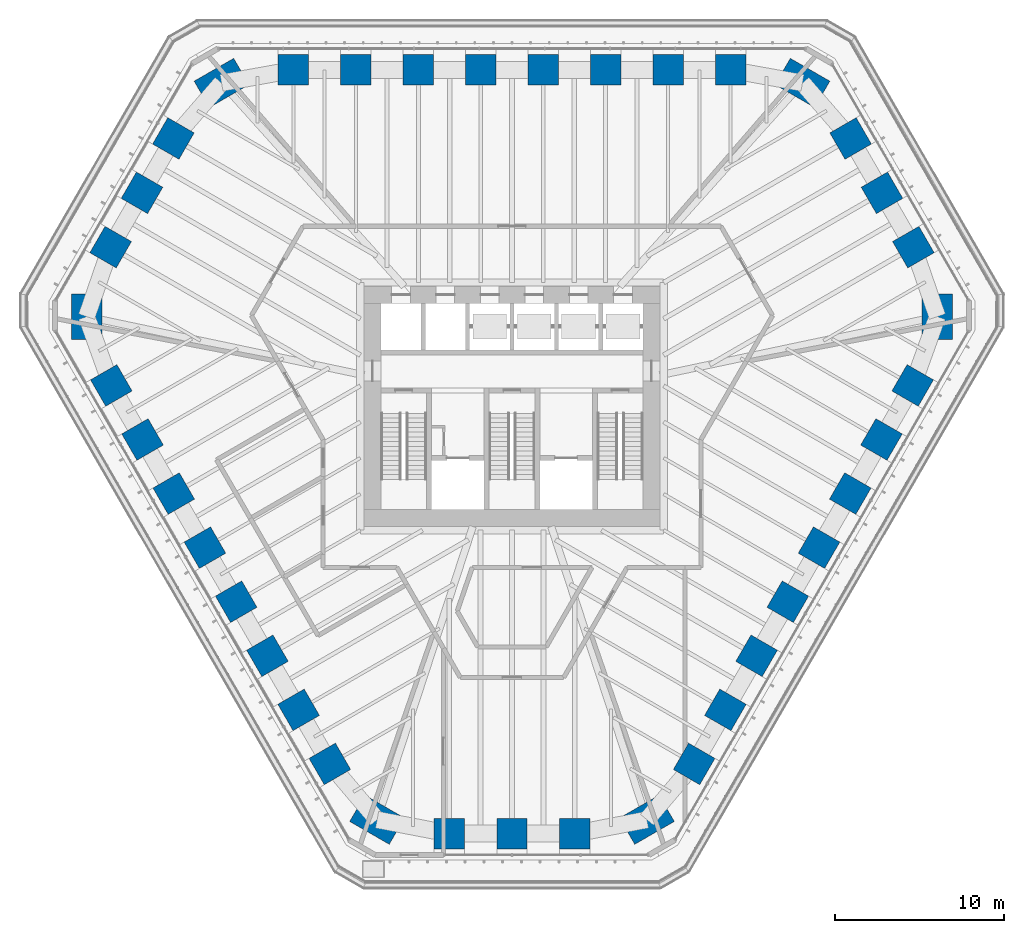
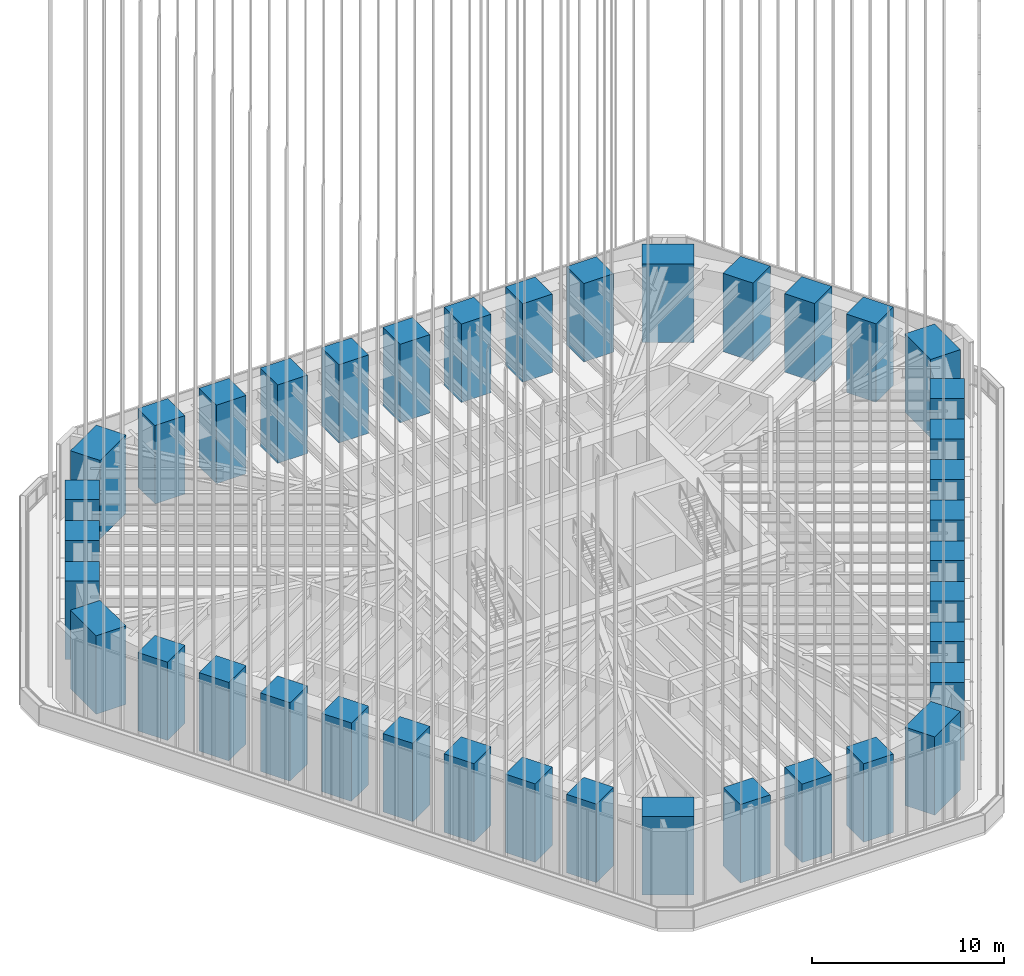
# One storey, part 1 of 228: 39 columns.
"""IFC4 building model written with IfcOpenShell, lengths in metres."""

from ifc_helpers import new_model, si_unit, direction, frame, origin, origin_2d, place, context, subcontext, project, spatial, rectangle, extrude, clip, halfspace, material, material_profile, profile_set, type_object, element, save


model = new_model("IFC4")

# Units and contexts
model_context = context("Model", 3, precision=1e-05, world=origin(), true_north=direction((0.0, 1.0)))
body_context = subcontext(model_context, "Body", "Model", "MODEL_VIEW")
ifc_project = project(units=[si_unit("LENGTHUNIT", "METRE"), si_unit("AREAUNIT", "SQUARE_METRE"), si_unit("VOLUMEUNIT", "CUBIC_METRE"), si_unit("PLANEANGLEUNIT", "RADIAN"), si_unit("MASSUNIT", "GRAM", prefix="KILO")], contexts=[model_context])

# Site, building, storey
site_placement = place(None, origin())
site = spatial("IfcSite", under=ifc_project, at=site_placement, CompositionType="ELEMENT")
building_placement = place(site_placement, origin())
building = spatial("IfcBuilding", under=site, at=building_placement, Name="Sandreach Pilgrim Tower", CompositionType="ELEMENT")
storey_placement = place(building_placement, frame((0.0, 0.0, 178.199951171875)))
storey = spatial("IfcBuildingStorey", under=building, at=storey_placement, Name="L44", CompositionType="ELEMENT", Elevation=178.199951171875)

# Columns
ifc_material_1 = material(Name="Concrete 10000 psi", Category="concrete")
ifc_material_profile_1 = material_profile(ifc_material_1, rectangle(XDim=1.800048828125, YDim=1.800048828125, at=origin_2d()), Name="RC1800X1800")
ifc_profile_set_1 = profile_set([ifc_material_profile_1], Name="Concrete 10000 psi")
column_type_1 = type_object("IfcColumnType", Name="Tube column RC1800X1800", PredefinedType="COLUMN", material=ifc_profile_set_1)
column_1_placement = place(storey_placement, frame((-12.923828125, 19.900146484375, -0.070068359375), z_axis=(0.0, 0.0, 1.0), x_axis=(0.0, 1.0, 0.0)))
element("IfcColumn", 1, at=column_1_placement, inside=storey, type_object=column_type_1, Name="COL L44 T01", PredefinedType="COLUMN", context=body_context, shape_type="SweptSolid", body=[
    clip(extrude(rectangle(XDim=1.800048828125, YDim=1.800048828125, at=origin_2d()), origin(), (0.0, 0.0, 1.0), 5.070068359375), halfspace(frame((0.0, 0.0, 0.070068359375)), True)),
])
column_2_placement = place(storey_placement, frame((-9.231201171875, 19.900146484375, -0.062255859375), z_axis=(0.0, 0.0, 1.0), x_axis=(0.0, 1.0, 0.0)))
element("IfcColumn", 2, at=column_2_placement, inside=storey, type_object=column_type_1, Name="COL L44 T02", PredefinedType="COLUMN", context=body_context, shape_type="SweptSolid", body=[
    clip(extrude(rectangle(XDim=1.800048828125, YDim=1.800048828125, at=origin_2d()), origin(), (0.0, 0.0, 1.0), 5.062255859375), halfspace(frame((0.0, 0.0, 0.062255859375)), True)),
])
column_3_placement = place(storey_placement, frame((-5.538818359375, 19.900146484375, -0.05419921875), z_axis=(0.0, 0.0, 1.0), x_axis=(0.0, 1.0, 0.0)))
element("IfcColumn", 3, at=column_3_placement, inside=storey, type_object=column_type_1, Name="COL L44 T03", PredefinedType="COLUMN", context=body_context, shape_type="SweptSolid", body=[
    clip(extrude(rectangle(XDim=1.800048828125, YDim=1.800048828125, at=origin_2d()), origin(), (0.0, 0.0, 1.0), 5.05419921875), halfspace(frame((0.0, 0.0, 0.05419921875)), True)),
])
for number, where, z_axis, x_axis, name in (
    (4, (-1.84619140625, 19.900146484375, -0.04638671875), (0.0, 0.0, 1.0), (0.0, 1.0, 0.0), "COL L44 T04"),
    (5, (1.84619140625, 19.900146484375, -0.04638671875), (0.0, 0.0, 1.0), (0.0, 1.0, 0.0), "COL L44 T05"),
):
    element("IfcColumn", number, at=place(storey_placement, frame(where, z_axis=z_axis, x_axis=x_axis)), inside=storey, type_object=column_type_1, Name=name, PredefinedType="COLUMN", context=body_context, shape_type="SweptSolid", body=[
        clip(extrude(rectangle(XDim=1.800048828125, YDim=1.800048828125, at=origin_2d()), origin(), (0.0, 0.0, 1.0), 5.04638671875), halfspace(frame((0.0, 0.0, 0.04638671875)), True)),
    ])
column_4_placement = place(storey_placement, frame((5.538818359375, 19.900146484375, -0.05419921875), z_axis=(0.0, 0.0, 1.0), x_axis=(0.0, 1.0, 0.0)))
element("IfcColumn", 6, at=column_4_placement, inside=storey, type_object=column_type_1, Name="COL L44 T06", PredefinedType="COLUMN", context=body_context, shape_type="SweptSolid", body=[
    clip(extrude(rectangle(XDim=1.800048828125, YDim=1.800048828125, at=origin_2d()), origin(), (0.0, 0.0, 1.0), 5.05419921875), halfspace(frame((0.0, 0.0, 0.05419921875)), True)),
])
column_5_placement = place(storey_placement, frame((9.231201171875, 19.900146484375, -0.062255859375), z_axis=(0.0, 0.0, 1.0), x_axis=(0.0, 1.0, 0.0)))
element("IfcColumn", 7, at=column_5_placement, inside=storey, type_object=column_type_1, Name="COL L44 T07", PredefinedType="COLUMN", context=body_context, shape_type="SweptSolid", body=[
    clip(extrude(rectangle(XDim=1.800048828125, YDim=1.800048828125, at=origin_2d()), origin(), (0.0, 0.0, 1.0), 5.062255859375), halfspace(frame((0.0, 0.0, 0.062255859375)), True)),
])
column_6_placement = place(storey_placement, frame((12.923828125, 19.900146484375, -0.070068359375), z_axis=(0.0, 0.0, 1.0), x_axis=(0.0, 1.0, 0.0)))
element("IfcColumn", 8, at=column_6_placement, inside=storey, type_object=column_type_1, Name="COL L44 T08", PredefinedType="COLUMN", context=body_context, shape_type="SweptSolid", body=[
    clip(extrude(rectangle(XDim=1.800048828125, YDim=1.800048828125, at=origin_2d()), origin(), (0.0, 0.0, 1.0), 5.070068359375), halfspace(frame((0.0, 0.0, 0.070068359375)), True)),
])
column_7_placement = place(storey_placement, frame((20.025146484375, 15.845947265625, -0.060791015625), z_axis=(0.0, 0.0, 1.0), x_axis=(0.866025403784, 0.5, 0.0)))
element("IfcColumn", 9, at=column_7_placement, inside=storey, type_object=column_type_1, Name="COL L44 T10", PredefinedType="COLUMN", context=body_context, shape_type="SweptSolid", body=[
    clip(extrude(rectangle(XDim=1.800048828125, YDim=1.800048828125, at=origin_2d()), origin(), (0.0, 0.0, 1.0), 5.060791015625), halfspace(frame((0.0, 0.0, 0.060791015625)), True)),
])
column_8_placement = place(storey_placement, frame((21.88037109375, 12.632568359375, -0.052978515625), z_axis=(0.0, 0.0, 1.0), x_axis=(0.866025403784, 0.5, 0.0)))
element("IfcColumn", 10, at=column_8_placement, inside=storey, type_object=column_type_1, Name="COL L44 T11", PredefinedType="COLUMN", context=body_context, shape_type="SweptSolid", body=[
    clip(extrude(rectangle(XDim=1.800048828125, YDim=1.800048828125, at=origin_2d()), origin(), (0.0, 0.0, 1.0), 5.052978515625), halfspace(frame((0.0, 0.0, 0.052978515625)), True)),
])
column_9_placement = place(storey_placement, frame((23.7353515625, 9.419189453125, -0.060791015625), z_axis=(0.0, 0.0, 1.0), x_axis=(0.866025403784, 0.5, 0.0)))
element("IfcColumn", 11, at=column_9_placement, inside=storey, type_object=column_type_1, Name="COL L44 T12", PredefinedType="COLUMN", context=body_context, shape_type="SweptSolid", body=[
    clip(extrude(rectangle(XDim=1.800048828125, YDim=1.800048828125, at=origin_2d()), origin(), (0.0, 0.0, 1.0), 5.060791015625), halfspace(frame((0.0, 0.0, 0.060791015625)), True)),
])
column_10_placement = place(storey_placement, frame((23.69580078125, 1.2421875, -0.070068359375), z_axis=(0.0, 0.0, 1.0), x_axis=(0.866025403784, -0.5, 0.0)))
element("IfcColumn", 12, at=column_10_placement, inside=storey, type_object=column_type_1, Name="COL L44 T14", PredefinedType="COLUMN", context=body_context, shape_type="SweptSolid", body=[
    clip(extrude(rectangle(XDim=1.800048828125, YDim=1.800048828125, at=origin_2d()), origin(), (0.0, 0.0, 1.0), 5.070068359375), halfspace(frame((0.0, 0.0, 0.070068359375)), True)),
])
column_11_placement = place(storey_placement, frame((21.849609375, -1.95556640625, -0.062255859375), z_axis=(0.0, 0.0, 1.0), x_axis=(0.866025403784, -0.5, 0.0)))
element("IfcColumn", 13, at=column_11_placement, inside=storey, type_object=column_type_1, Name="COL L44 T15", PredefinedType="COLUMN", context=body_context, shape_type="SweptSolid", body=[
    clip(extrude(rectangle(XDim=1.800048828125, YDim=1.800048828125, at=origin_2d()), origin(), (0.0, 0.0, 1.0), 5.062255859375), halfspace(frame((0.0, 0.0, 0.062255859375)), True)),
])
column_12_placement = place(storey_placement, frame((20.00341796875, -5.1533203125, -0.05419921875), z_axis=(0.0, 0.0, 1.0), x_axis=(0.866025403784, -0.5, 0.0)))
element("IfcColumn", 14, at=column_12_placement, inside=storey, type_object=column_type_1, Name="COL L44 T16", PredefinedType="COLUMN", context=body_context, shape_type="SweptSolid", body=[
    clip(extrude(rectangle(XDim=1.800048828125, YDim=1.800048828125, at=origin_2d()), origin(), (0.0, 0.0, 1.0), 5.05419921875), halfspace(frame((0.0, 0.0, 0.05419921875)), True)),
])
for number, where, z_axis, x_axis, name in (
    (15, (18.1572265625, -8.35107421875, -0.04638671875), (0.0, 0.0, 1.0), (0.866025403784, -0.5, 0.0), "COL L44 T17"),
    (16, (16.310791015625, -11.548828125, -0.04638671875), (0.0, 0.0, 1.0), (0.866025403784, -0.5, 0.0), "COL L44 T18"),
):
    element("IfcColumn", number, at=place(storey_placement, frame(where, z_axis=z_axis, x_axis=x_axis)), inside=storey, type_object=column_type_1, Name=name, PredefinedType="COLUMN", context=body_context, shape_type="SweptSolid", body=[
        clip(extrude(rectangle(XDim=1.800048828125, YDim=1.800048828125, at=origin_2d()), origin(), (0.0, 0.0, 1.0), 5.04638671875), halfspace(frame((0.0, 0.0, 0.04638671875)), True)),
    ])
column_13_placement = place(storey_placement, frame((14.464599609375, -14.746826171875, -0.05419921875), z_axis=(0.0, 0.0, 1.0), x_axis=(0.866025403784, -0.5, 0.0)))
element("IfcColumn", 17, at=column_13_placement, inside=storey, type_object=column_type_1, Name="COL L44 T19", PredefinedType="COLUMN", context=body_context, shape_type="SweptSolid", body=[
    clip(extrude(rectangle(XDim=1.800048828125, YDim=1.800048828125, at=origin_2d()), origin(), (0.0, 0.0, 1.0), 5.05419921875), halfspace(frame((0.0, 0.0, 0.05419921875)), True)),
])
column_14_placement = place(storey_placement, frame((12.618408203125, -17.944580078125, -0.062255859375), z_axis=(0.0, 0.0, 1.0), x_axis=(0.866025403784, -0.5, 0.0)))
element("IfcColumn", 18, at=column_14_placement, inside=storey, type_object=column_type_1, Name="COL L44 T20", PredefinedType="COLUMN", context=body_context, shape_type="SweptSolid", body=[
    clip(extrude(rectangle(XDim=1.800048828125, YDim=1.800048828125, at=origin_2d()), origin(), (0.0, 0.0, 1.0), 5.062255859375), halfspace(frame((0.0, 0.0, 0.062255859375)), True)),
])
column_15_placement = place(storey_placement, frame((10.772216796875, -21.142333984375, -0.070068359375), z_axis=(0.0, 0.0, 1.0), x_axis=(0.866025403784, -0.5, 0.0)))
element("IfcColumn", 19, at=column_15_placement, inside=storey, type_object=column_type_1, Name="COL L44 T21", PredefinedType="COLUMN", context=body_context, shape_type="SweptSolid", body=[
    clip(extrude(rectangle(XDim=1.800048828125, YDim=1.800048828125, at=origin_2d()), origin(), (0.0, 0.0, 1.0), 5.070068359375), halfspace(frame((0.0, 0.0, 0.070068359375)), True)),
])
column_16_placement = place(storey_placement, frame((3.71044921875, -25.26513671875, -0.060791015625), z_axis=(0.0, 0.0, 1.0), x_axis=(0.0, -1.0, 0.0)))
element("IfcColumn", 20, at=column_16_placement, inside=storey, type_object=column_type_1, Name="COL L44 T23", PredefinedType="COLUMN", context=body_context, shape_type="SweptSolid", body=[
    clip(extrude(rectangle(XDim=1.800048828125, YDim=1.800048828125, at=origin_2d()), origin(), (0.0, 0.0, 1.0), 5.060791015625), halfspace(frame((0.0, 0.0, 0.060791015625)), True)),
])
column_17_placement = place(storey_placement, frame((0.0, -25.26513671875, -0.052978515625), z_axis=(0.0, 0.0, 1.0), x_axis=(0.0, -1.0, 0.0)))
element("IfcColumn", 21, at=column_17_placement, inside=storey, type_object=column_type_1, Name="COL L44 T24", PredefinedType="COLUMN", context=body_context, shape_type="SweptSolid", body=[
    clip(extrude(rectangle(XDim=1.800048828125, YDim=1.800048828125, at=origin_2d()), origin(), (0.0, 0.0, 1.0), 5.052978515625), halfspace(frame((0.0, 0.0, 0.052978515625)), True)),
])
column_18_placement = place(storey_placement, frame((-3.71044921875, -25.26513671875, -0.060791015625), z_axis=(0.0, 0.0, 1.0), x_axis=(0.0, -1.0, 0.0)))
element("IfcColumn", 22, at=column_18_placement, inside=storey, type_object=column_type_1, Name="COL L44 T25", PredefinedType="COLUMN", context=body_context, shape_type="SweptSolid", body=[
    clip(extrude(rectangle(XDim=1.800048828125, YDim=1.800048828125, at=origin_2d()), origin(), (0.0, 0.0, 1.0), 5.060791015625), halfspace(frame((0.0, 0.0, 0.060791015625)), True)),
])
column_19_placement = place(storey_placement, frame((-10.772216796875, -21.142333984375, -0.070068359375), z_axis=(0.0, 0.0, 1.0), x_axis=(-0.866025403784, -0.5, 0.0)))
element("IfcColumn", 23, at=column_19_placement, inside=storey, type_object=column_type_1, Name="COL L44 T27", PredefinedType="COLUMN", context=body_context, shape_type="SweptSolid", body=[
    clip(extrude(rectangle(XDim=1.800048828125, YDim=1.800048828125, at=origin_2d()), origin(), (0.0, 0.0, 1.0), 5.070068359375), halfspace(frame((0.0, 0.0, 0.070068359375)), True)),
])
column_20_placement = place(storey_placement, frame((-12.618408203125, -17.944580078125, -0.062255859375), z_axis=(0.0, 0.0, 1.0), x_axis=(-0.866025403784, -0.5, 0.0)))
element("IfcColumn", 24, at=column_20_placement, inside=storey, type_object=column_type_1, Name="COL L44 T28", PredefinedType="COLUMN", context=body_context, shape_type="SweptSolid", body=[
    clip(extrude(rectangle(XDim=1.800048828125, YDim=1.800048828125, at=origin_2d()), origin(), (0.0, 0.0, 1.0), 5.062255859375), halfspace(frame((0.0, 0.0, 0.062255859375)), True)),
])
column_21_placement = place(storey_placement, frame((-14.464599609375, -14.746826171875, -0.05419921875), z_axis=(0.0, 0.0, 1.0), x_axis=(-0.866025403784, -0.5, 0.0)))
element("IfcColumn", 25, at=column_21_placement, inside=storey, type_object=column_type_1, Name="COL L44 T29", PredefinedType="COLUMN", context=body_context, shape_type="SweptSolid", body=[
    clip(extrude(rectangle(XDim=1.800048828125, YDim=1.800048828125, at=origin_2d()), origin(), (0.0, 0.0, 1.0), 5.05419921875), halfspace(frame((0.0, 0.0, 0.05419921875)), True)),
])
for number, where, z_axis, x_axis, name in (
    (26, (-16.310791015625, -11.548828125, -0.04638671875), (0.0, 0.0, 1.0), (-0.866025403784, -0.5, 0.0), "COL L44 T30"),
    (27, (-18.1572265625, -8.35107421875, -0.04638671875), (0.0, 0.0, 1.0), (-0.866025403784, -0.5, 0.0), "COL L44 T31"),
):
    element("IfcColumn", number, at=place(storey_placement, frame(where, z_axis=z_axis, x_axis=x_axis)), inside=storey, type_object=column_type_1, Name=name, PredefinedType="COLUMN", context=body_context, shape_type="SweptSolid", body=[
        clip(extrude(rectangle(XDim=1.800048828125, YDim=1.800048828125, at=origin_2d()), origin(), (0.0, 0.0, 1.0), 5.04638671875), halfspace(frame((0.0, 0.0, 0.04638671875)), True)),
    ])
column_22_placement = place(storey_placement, frame((-20.00341796875, -5.1533203125, -0.05419921875), z_axis=(0.0, 0.0, 1.0), x_axis=(-0.866025403784, -0.5, 0.0)))
element("IfcColumn", 28, at=column_22_placement, inside=storey, type_object=column_type_1, Name="COL L44 T32", PredefinedType="COLUMN", context=body_context, shape_type="SweptSolid", body=[
    clip(extrude(rectangle(XDim=1.800048828125, YDim=1.800048828125, at=origin_2d()), origin(), (0.0, 0.0, 1.0), 5.05419921875), halfspace(frame((0.0, 0.0, 0.05419921875)), True)),
])
column_23_placement = place(storey_placement, frame((-21.849609375, -1.95556640625, -0.062255859375), z_axis=(0.0, 0.0, 1.0), x_axis=(-0.866025403784, -0.5, 0.0)))
element("IfcColumn", 29, at=column_23_placement, inside=storey, type_object=column_type_1, Name="COL L44 T33", PredefinedType="COLUMN", context=body_context, shape_type="SweptSolid", body=[
    clip(extrude(rectangle(XDim=1.800048828125, YDim=1.800048828125, at=origin_2d()), origin(), (0.0, 0.0, 1.0), 5.062255859375), halfspace(frame((0.0, 0.0, 0.062255859375)), True)),
])
column_24_placement = place(storey_placement, frame((-23.69580078125, 1.2421875, -0.070068359375), z_axis=(0.0, 0.0, 1.0), x_axis=(-0.866025403784, -0.5, 0.0)))
element("IfcColumn", 30, at=column_24_placement, inside=storey, type_object=column_type_1, Name="COL L44 T34", PredefinedType="COLUMN", context=body_context, shape_type="SweptSolid", body=[
    clip(extrude(rectangle(XDim=1.800048828125, YDim=1.800048828125, at=origin_2d()), origin(), (0.0, 0.0, 1.0), 5.070068359375), halfspace(frame((0.0, 0.0, 0.070068359375)), True)),
])
column_25_placement = place(storey_placement, frame((-23.7353515625, 9.419189453125, -0.060791015625), z_axis=(0.0, 0.0, 1.0), x_axis=(-0.866025403784, 0.5, 0.0)))
element("IfcColumn", 31, at=column_25_placement, inside=storey, type_object=column_type_1, Name="COL L44 T36", PredefinedType="COLUMN", context=body_context, shape_type="SweptSolid", body=[
    clip(extrude(rectangle(XDim=1.800048828125, YDim=1.800048828125, at=origin_2d()), origin(), (0.0, 0.0, 1.0), 5.060791015625), halfspace(frame((0.0, 0.0, 0.060791015625)), True)),
])
column_26_placement = place(storey_placement, frame((-21.88037109375, 12.632568359375, -0.052978515625), z_axis=(0.0, 0.0, 1.0), x_axis=(-0.866025403784, 0.5, 0.0)))
element("IfcColumn", 32, at=column_26_placement, inside=storey, type_object=column_type_1, Name="COL L44 T37", PredefinedType="COLUMN", context=body_context, shape_type="SweptSolid", body=[
    clip(extrude(rectangle(XDim=1.800048828125, YDim=1.800048828125, at=origin_2d()), origin(), (0.0, 0.0, 1.0), 5.052978515625), halfspace(frame((0.0, 0.0, 0.052978515625)), True)),
])
column_27_placement = place(storey_placement, frame((-20.025146484375, 15.845947265625, -0.060791015625), z_axis=(0.0, 0.0, 1.0), x_axis=(-0.866025403784, 0.5, 0.0)))
element("IfcColumn", 33, at=column_27_placement, inside=storey, type_object=column_type_1, Name="COL L44 T38", PredefinedType="COLUMN", context=body_context, shape_type="SweptSolid", body=[
    clip(extrude(rectangle(XDim=1.800048828125, YDim=1.800048828125, at=origin_2d()), origin(), (0.0, 0.0, 1.0), 5.060791015625), halfspace(frame((0.0, 0.0, 0.060791015625)), True)),
])
ifc_material_2 = material(Name="Concrete 10000 psi", Category="concrete")
ifc_material_profile_2 = material_profile(ifc_material_2, rectangle(XDim=1.800048828125, YDim=2.699951171875, at=origin_2d()), Name="RC1800X2700")
ifc_profile_set_2 = profile_set([ifc_material_profile_2], Name="Concrete 10000 psi")
column_type_2 = type_object("IfcColumnType", Name="Tube corner pier RC1800X2700", PredefinedType="COLUMN", material=ifc_profile_set_2)
for number, where, z_axis, x_axis, name in (
    (34, (17.177978515625, 19.130615234375, -0.0712890625), (0.0, 0.0, 1.0), (0.5, 0.866025403784, 0.0), "COL L44 T09"),
    (35, (25.156494140625, 5.311279296875, -0.0712890625), (0.0, 0.0, 1.0), (1.0, 0.0, 0.0), "COL L44 T13"),
    (36, (7.978515625, -24.44189453125, -0.0712890625), (0.0, 0.0, 1.0), (0.5, -0.866025403784, 0.0), "COL L44 T22"),
    (37, (-7.978515625, -24.44189453125, -0.0712890625), (0.0, 0.0, 1.0), (-0.5, -0.866025403784, 0.0), "COL L44 T26"),
    (38, (-25.156494140625, 5.311279296875, -0.0712890625), (0.0, 0.0, 1.0), (-1.0, 0.0, 0.0), "COL L44 T35"),
    (39, (-17.177978515625, 19.130615234375, -0.0712890625), (0.0, 0.0, 1.0), (-0.5, 0.866025403784, 0.0), "COL L44 T39"),
):
    element("IfcColumn", number, at=place(storey_placement, frame(where, z_axis=z_axis, x_axis=x_axis)), inside=storey, type_object=column_type_2, Name=name, PredefinedType="COLUMN", context=body_context, shape_type="SweptSolid", body=[
        clip(extrude(rectangle(XDim=1.800048828125, YDim=2.699951171875, at=origin_2d()), origin(), (0.0, 0.0, 1.0), 5.0712890625), halfspace(frame((0.0, 0.0, 0.0712890625)), True)),
    ])

save(model, "model.ifc")
